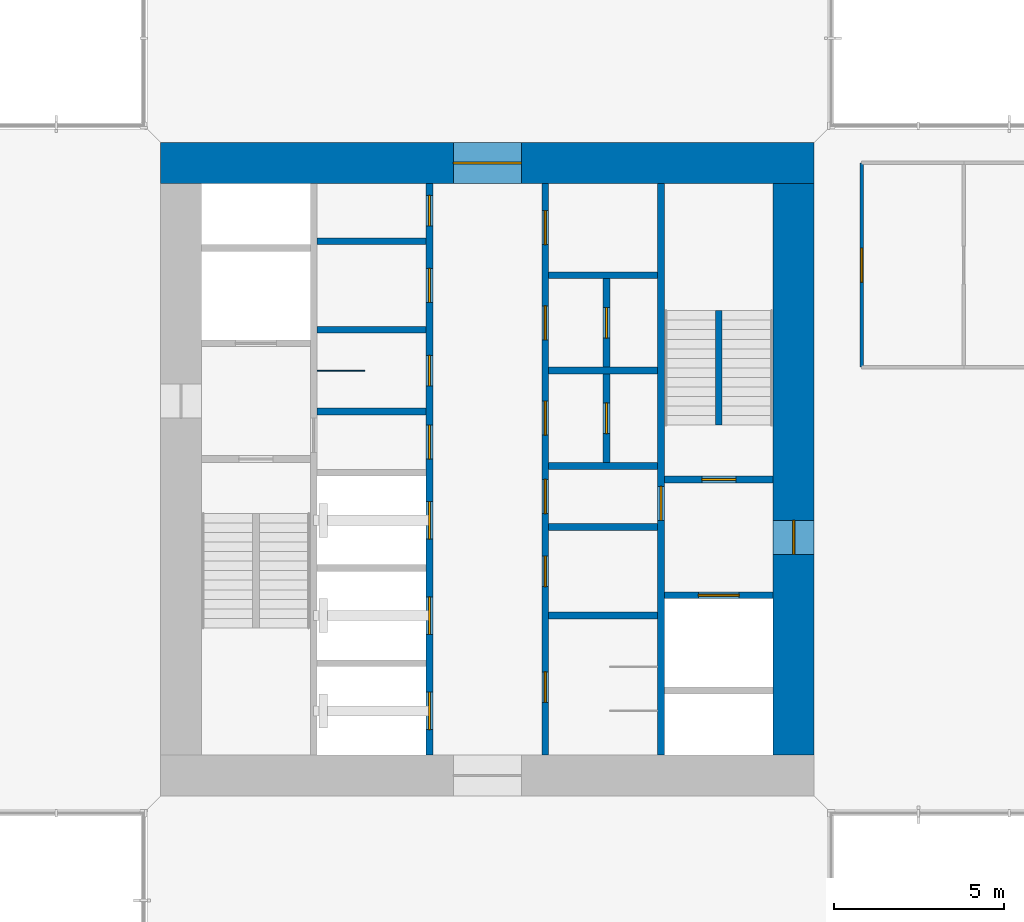
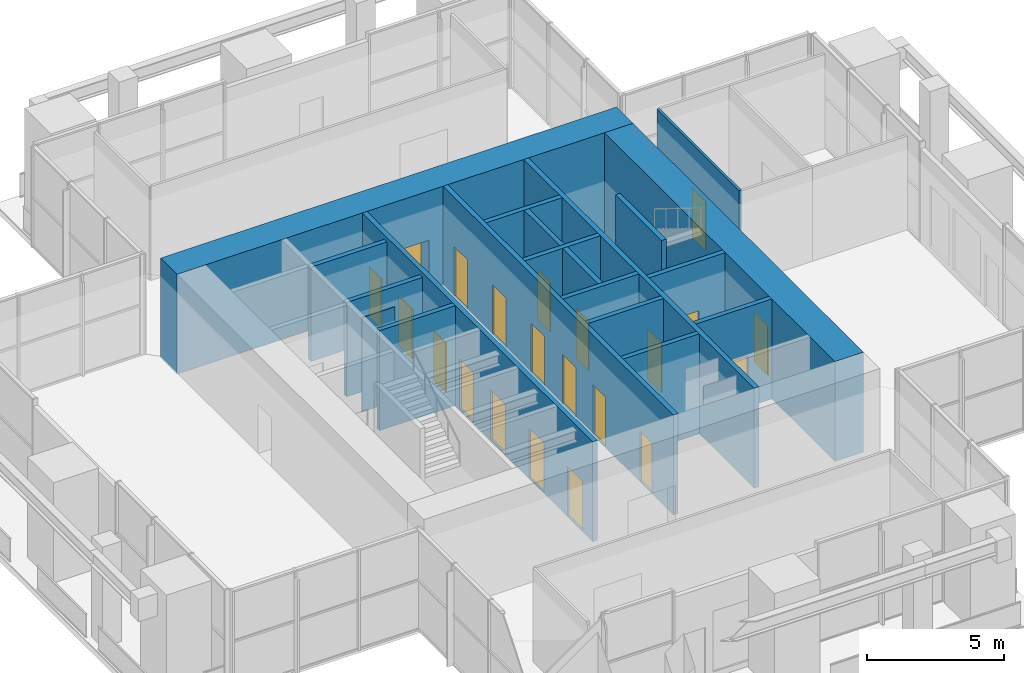
# One storey, part 8 of 11: 21 doors, 20 walls, 21 openings.
"""IFC4 building model written with IfcOpenShell, lengths in metres."""

from ifc_helpers import new_model, si_unit, direction, frame, frame_2d, origin, place, context, subcontext, project, spatial, rectangle, extrude, material, layer, layer_set, type_object, element, fill, save


model = new_model("IFC4")

# Units and contexts
model_context = context("Model", 3, precision=1e-05, world=origin(), true_north=direction((0.0, 1.0)))
body_context = subcontext(model_context, "Body", "Model", "MODEL_VIEW")
ifc_project = project(units=[si_unit("LENGTHUNIT", "METRE"), si_unit("AREAUNIT", "SQUARE_METRE"), si_unit("VOLUMEUNIT", "CUBIC_METRE"), si_unit("PLANEANGLEUNIT", "RADIAN"), si_unit("MASSUNIT", "GRAM", prefix="KILO")], contexts=[model_context])

# Site, building, storey
site_placement = place(None, origin())
site = spatial("IfcSite", under=ifc_project, at=site_placement, CompositionType="ELEMENT")
building_placement = place(site_placement, origin())
building = spatial("IfcBuilding", under=site, at=building_placement, Name="Svetlomir Tower", CompositionType="ELEMENT")
storey_placement = place(building_placement, frame((0.0, 0.0, 273.39990234375)))
storey = spatial("IfcBuildingStorey", under=building, at=storey_placement, Name="L65", CompositionType="ELEMENT", Elevation=273.39990234375)

# Walls
ifc_material_1 = material(Name="Gypsum board on twin steel studs", Category="steel")
ifc_layer_1 = layer(ifc_material_1, 0.199951171875)
ifc_layer_set_1 = layer_set([ifc_layer_1], Name="Gypsum board on twin steel studs")
wall_type_1 = type_object("IfcWallType", Name="ACOUSTIC PARTITION 200", PredefinedType="PARTITIONING", material=ifc_layer_set_1)
for number, where, z_axis, x_axis, name in (
    (1, (16.0, 25.10009765625, 0.0), (0.0, 0.0, 1.0), (1.0, 0.0, 0.0), "Core cell partition 16-19.2/25.1 L65"),
    (2, (16.0, 27.699951171875, 0.0), (0.0, 0.0, 1.0), (1.0, 0.0, 0.0), "Core cell partition 16-19.2/27.7 L65"),
):
    element("IfcWall", number, at=place(storey_placement, frame(where, z_axis=z_axis, x_axis=x_axis)), inside=storey, type_object=wall_type_1, Name=name, PredefinedType="PARTITIONING", context=body_context, shape_type="SweptSolid", body=[
        extrude(rectangle(XDim=3.199951171875, YDim=0.199951171875, at=frame_2d((1.60009765625, 0.0))), origin(), (0.0, 0.0, 1.0), 4.2001953125),
    ])

# Wall, openings, doors
ifc_material_2 = material(Name="Concrete C60/75", Category="concrete")
ifc_layer_2 = layer(ifc_material_2, 0.199951171875)
ifc_layer_set_2 = layer_set([ifc_layer_2], Name="Concrete C60/75")
wall_type_2 = type_object("IfcWallType", Name="CORE INNER WALL 200", PredefinedType="SHEAR", material=ifc_layer_set_2)
wall_1_placement = place(storey_placement, frame((19.300048828125, 12.60009765625, -0.0498046875), z_axis=(0.0, 0.0, 1.0), x_axis=(0.0, 1.0, 0.0)))
wall_1 = element("IfcWall", 3, at=wall_1_placement, inside=storey, type_object=wall_type_2, Name="Core inner wall 19.3 L65", PredefinedType="SHEAR", context=body_context, shape_type="SweptSolid", body=[
    extrude(rectangle(XDim=16.7998046875, YDim=0.199951171875, at=frame_2d((8.39990234375, 0.0))), origin(), (0.0, 0.0, 1.0), 4.449951171875),
])
opening_1_placement = place(wall_1_placement, frame((8.699951171875, 0.0, 0.050048828125)))
opening_1 = element("IfcOpeningElement", 4, at=opening_1_placement, cuts=wall_1, Name="Opening DC", PredefinedType="OPENING", context=body_context, shape_type="SweptSolid", body=[
    extrude(rectangle(XDim=1.0, YDim=2.199951171875, at=frame_2d((0.5, 1.10009765625))), frame((0.0, 0.10986328125, 0.0), z_axis=(0.0, -1.0, 0.0), x_axis=(1.0, 0.0, 0.0)), (0.0, 0.0, 1.0), 0.219970703125),
])
opening_2_placement = place(wall_1_placement, frame((10.85009765625, 0.0, 0.050048828125)))
opening_2 = element("IfcOpeningElement", 5, at=opening_2_placement, cuts=wall_1, Name="Opening DW", PredefinedType="OPENING", context=body_context, shape_type="SweptSolid", body=[
    extrude(rectangle(XDim=0.89990234375, YDim=2.199951171875, at=frame_2d((0.449951171875, 1.10009765625))), frame((0.0, 0.10986328125, 0.0), z_axis=(0.0, -1.0, 0.0), x_axis=(1.0, 0.0, 0.0)), (0.0, 0.0, 1.0), 0.219970703125),
])
opening_3_placement = place(wall_1_placement, frame((13.300048828125, 0.0, 0.050048828125)))
opening_3 = element("IfcOpeningElement", 6, at=opening_3_placement, cuts=wall_1, Name="Opening DC", PredefinedType="OPENING", context=body_context, shape_type="SweptSolid", body=[
    extrude(rectangle(XDim=1.0, YDim=2.199951171875, at=frame_2d((0.5, 1.10009765625))), frame((0.0, 0.10986328125, 0.0), z_axis=(0.0, -1.0, 0.0), x_axis=(1.0, 0.0, 0.0)), (0.0, 0.0, 1.0), 0.219970703125),
])
opening_4_placement = place(wall_1_placement, frame((15.550048828125, 0.0, 0.050048828125)))
opening_4 = element("IfcOpeningElement", 7, at=opening_4_placement, cuts=wall_1, Name="Opening DW", PredefinedType="OPENING", context=body_context, shape_type="SweptSolid", body=[
    extrude(rectangle(XDim=0.89990234375, YDim=2.199951171875, at=frame_2d((0.449951171875, 1.10009765625))), frame((0.0, 0.10986328125, 0.0), z_axis=(0.0, -1.0, 0.0), x_axis=(1.0, 0.0, 0.0)), (0.0, 0.0, 1.0), 0.219970703125),
])
opening_5_placement = place(wall_1_placement, frame((0.75, 0.0, 0.050048828125)))
opening_5 = element("IfcOpeningElement", 8, at=opening_5_placement, cuts=wall_1, Name="Opening LD", PredefinedType="OPENING", context=body_context, shape_type="SweptSolid", body=[
    extrude(rectangle(XDim=1.10009765625, YDim=2.199951171875, at=frame_2d((0.550048828125, 1.10009765625))), frame((0.0, 0.10986328125, 0.0), z_axis=(0.0, -1.0, 0.0), x_axis=(1.0, 0.0, 0.0)), (0.0, 0.0, 1.0), 0.219970703125),
])
opening_6_placement = place(wall_1_placement, frame((3.550048828125, 0.0, 0.050048828125)))
opening_6 = element("IfcOpeningElement", 9, at=opening_6_placement, cuts=wall_1, Name="Opening LD", PredefinedType="OPENING", context=body_context, shape_type="SweptSolid", body=[
    extrude(rectangle(XDim=1.10009765625, YDim=2.199951171875, at=frame_2d((0.550048828125, 1.10009765625))), frame((0.0, 0.10986328125, 0.0), z_axis=(0.0, -1.0, 0.0), x_axis=(1.0, 0.0, 0.0)), (0.0, 0.0, 1.0), 0.219970703125),
])
opening_7_placement = place(wall_1_placement, frame((6.35009765625, 0.0, 0.050048828125)))
opening_7 = element("IfcOpeningElement", 10, at=opening_7_placement, cuts=wall_1, Name="Opening LD", PredefinedType="OPENING", context=body_context, shape_type="SweptSolid", body=[
    extrude(rectangle(XDim=1.10009765625, YDim=2.199951171875, at=frame_2d((0.550048828125, 1.10009765625))), frame((0.0, 0.10986328125, 0.0), z_axis=(0.0, -1.0, 0.0), x_axis=(1.0, 0.0, 0.0)), (0.0, 0.0, 1.0), 0.219970703125),
])
ifc_material_3 = material(Name="Timber fire door", Category="wood")
door_type_1 = type_object("IfcDoorType", Name="DOOR DC 1000x2200", OperationType="SINGLE_SWING_LEFT", PredefinedType="DOOR", material=ifc_material_3)
door_1_placement = place(opening_1_placement, origin())
door_1 = element("IfcDoor", 11, at=door_1_placement, inside=storey, type_object=door_type_1, Name="Core corridor west lobby door L65", OperationType="SINGLE_SWING_LEFT", OverallHeight=2.199951171875, OverallWidth=1.0, PredefinedType="DOOR", context=body_context, shape_type="SweptSolid", body=[
    extrude(rectangle(XDim=1.0, YDim=2.199951171875, at=frame_2d((0.5, 1.10009765625))), frame((0.0, 0.02490234375, 0.0), z_axis=(0.0, -1.0, 0.0), x_axis=(1.0, 0.0, 0.0)), (0.0, 0.0, 1.0), 0.050048828125),
])
fill(opening_1, door_1)
door_2_placement = place(opening_3_placement, origin())
door_2 = element("IfcDoor", 12, at=door_2_placement, inside=storey, type_object=door_type_1, Name="Accessible WC door L65", OperationType="SINGLE_SWING_RIGHT", OverallHeight=2.199951171875, OverallWidth=1.0, PredefinedType="DOOR", context=body_context, shape_type="SweptSolid", body=[
    extrude(rectangle(XDim=1.0, YDim=2.199951171875, at=frame_2d((0.5, 1.10009765625))), frame((0.0, 0.02490234375, 0.0), z_axis=(0.0, -1.0, 0.0), x_axis=(1.0, 0.0, 0.0)), (0.0, 0.0, 1.0), 0.050048828125),
])
fill(opening_3, door_2)
ifc_material_4 = material(Name="Timber fire door", Category="wood")
door_type_2 = type_object("IfcDoorType", Name="DOOR DW 900x2200", OperationType="SINGLE_SWING_LEFT", PredefinedType="DOOR", material=ifc_material_4)
door_3_placement = place(opening_2_placement, origin())
door_3 = element("IfcDoor", 13, at=door_3_placement, inside=storey, type_object=door_type_2, Name="Female WC door L65", OperationType="SINGLE_SWING_LEFT", OverallHeight=2.199951171875, OverallWidth=0.89990234375, PredefinedType="DOOR", context=body_context, shape_type="SweptSolid", body=[
    extrude(rectangle(XDim=0.89990234375, YDim=2.199951171875, at=frame_2d((0.449951171875, 1.10009765625))), frame((0.0, 0.02490234375, 0.0), z_axis=(0.0, -1.0, 0.0), x_axis=(1.0, 0.0, 0.0)), (0.0, 0.0, 1.0), 0.050048828125),
])
fill(opening_2, door_3)
door_4_placement = place(opening_4_placement, origin())
door_4 = element("IfcDoor", 14, at=door_4_placement, inside=storey, type_object=door_type_2, Name="Tea point door L65", OperationType="SINGLE_SWING_LEFT", OverallHeight=2.199951171875, OverallWidth=0.89990234375, PredefinedType="DOOR", context=body_context, shape_type="SweptSolid", body=[
    extrude(rectangle(XDim=0.89990234375, YDim=2.199951171875, at=frame_2d((0.449951171875, 1.10009765625))), frame((0.0, 0.02490234375, 0.0), z_axis=(0.0, -1.0, 0.0), x_axis=(1.0, 0.0, 0.0)), (0.0, 0.0, 1.0), 0.050048828125),
])
fill(opening_4, door_4)
ifc_material_5 = material(Name="Stainless steel landing door", Category="steel")
door_type_3 = type_object("IfcDoorType", Name="LIFT LANDING DOOR LD 1100x2200", OperationType="DOUBLE_DOOR_SLIDING", PredefinedType="DOOR", material=ifc_material_5)
door_5_placement = place(opening_5_placement, origin())
door_5 = element("IfcDoor", 15, at=door_5_placement, inside=storey, type_object=door_type_3, Name="Landing door lift LD1 L65", OperationType="DOUBLE_DOOR_SLIDING", OverallHeight=2.199951171875, OverallWidth=1.10009765625, PredefinedType="DOOR", context=body_context, shape_type="SweptSolid", body=[
    extrude(rectangle(XDim=1.10009765625, YDim=2.199951171875, at=frame_2d((0.550048828125, 1.10009765625))), frame((0.0, 0.02490234375, 0.0), z_axis=(0.0, -1.0, 0.0), x_axis=(1.0, 0.0, 0.0)), (0.0, 0.0, 1.0), 0.050048828125),
])
fill(opening_5, door_5)
door_6_placement = place(opening_6_placement, origin())
door_6 = element("IfcDoor", 16, at=door_6_placement, inside=storey, type_object=door_type_3, Name="Landing door lift LD2 L65", OperationType="DOUBLE_DOOR_SLIDING", OverallHeight=2.199951171875, OverallWidth=1.10009765625, PredefinedType="DOOR", context=body_context, shape_type="SweptSolid", body=[
    extrude(rectangle(XDim=1.10009765625, YDim=2.199951171875, at=frame_2d((0.550048828125, 1.10009765625))), frame((0.0, 0.02490234375, 0.0), z_axis=(0.0, -1.0, 0.0), x_axis=(1.0, 0.0, 0.0)), (0.0, 0.0, 1.0), 0.050048828125),
])
fill(opening_6, door_6)
door_7_placement = place(opening_7_placement, origin())
door_7 = element("IfcDoor", 17, at=door_7_placement, inside=storey, type_object=door_type_3, Name="Landing door lift LD3 L65", OperationType="DOUBLE_DOOR_SLIDING", OverallHeight=2.199951171875, OverallWidth=1.10009765625, PredefinedType="DOOR", context=body_context, shape_type="SweptSolid", body=[
    extrude(rectangle(XDim=1.10009765625, YDim=2.199951171875, at=frame_2d((0.550048828125, 1.10009765625))), frame((0.0, 0.02490234375, 0.0), z_axis=(0.0, -1.0, 0.0), x_axis=(1.0, 0.0, 0.0)), (0.0, 0.0, 1.0), 0.050048828125),
])
fill(opening_7, door_7)

wall_2_placement = place(storey_placement, frame((22.699951171875, 12.60009765625, -0.0498046875), z_axis=(0.0, 0.0, 1.0), x_axis=(0.0, 1.0, 0.0)))
wall_2 = element("IfcWall", 18, at=wall_2_placement, inside=storey, type_object=wall_type_2, Name="Core inner wall 22.7 L65", PredefinedType="SHEAR", context=body_context, shape_type="SweptSolid", body=[
    extrude(rectangle(XDim=16.7998046875, YDim=0.199951171875, at=frame_2d((8.39990234375, 0.0))), origin(), (0.0, 0.0, 1.0), 4.449951171875),
])
opening_8_placement = place(wall_2_placement, frame((7.10009765625, 0.0, 0.050048828125)))
opening_8 = element("IfcOpeningElement", 19, at=opening_8_placement, cuts=wall_2, Name="Opening DC", PredefinedType="OPENING", context=body_context, shape_type="SweptSolid", body=[
    extrude(rectangle(XDim=1.0, YDim=2.199951171875, at=frame_2d((0.5, 1.10009765625))), frame((0.0, 0.10986328125, 0.0), z_axis=(0.0, -1.0, 0.0), x_axis=(1.0, 0.0, 0.0)), (0.0, 0.0, 1.0), 0.219970703125),
])
opening_9_placement = place(wall_2_placement, frame((1.550048828125, 0.0, 0.050048828125)))
opening_9 = element("IfcOpeningElement", 20, at=opening_9_placement, cuts=wall_2, Name="Opening DW", PredefinedType="OPENING", context=body_context, shape_type="SweptSolid", body=[
    extrude(rectangle(XDim=0.89990234375, YDim=2.199951171875, at=frame_2d((0.449951171875, 1.10009765625))), frame((0.0, 0.10986328125, 0.0), z_axis=(0.0, -1.0, 0.0), x_axis=(1.0, 0.0, 0.0)), (0.0, 0.0, 1.0), 0.219970703125),
])
opening_10_placement = place(wall_2_placement, frame((4.949951171875, 0.0, 0.050048828125)))
opening_10 = element("IfcOpeningElement", 21, at=opening_10_placement, cuts=wall_2, Name="Opening DW", PredefinedType="OPENING", context=body_context, shape_type="SweptSolid", body=[
    extrude(rectangle(XDim=0.89990234375, YDim=2.199951171875, at=frame_2d((0.449951171875, 1.10009765625))), frame((0.0, 0.10986328125, 0.0), z_axis=(0.0, -1.0, 0.0), x_axis=(1.0, 0.0, 0.0)), (0.0, 0.0, 1.0), 0.219970703125),
])
opening_11_placement = place(wall_2_placement, frame((9.39990234375, 0.0, 0.050048828125)))
opening_11 = element("IfcOpeningElement", 22, at=opening_11_placement, cuts=wall_2, Name="Opening DC", PredefinedType="OPENING", context=body_context, shape_type="SweptSolid", body=[
    extrude(rectangle(XDim=1.0, YDim=2.199951171875, at=frame_2d((0.5, 1.10009765625))), frame((0.0, 0.10986328125, 0.0), z_axis=(0.0, -1.0, 0.0), x_axis=(1.0, 0.0, 0.0)), (0.0, 0.0, 1.0), 0.219970703125),
])
opening_12_placement = place(wall_2_placement, frame((12.199951171875, 0.0, 0.050048828125)))
opening_12 = element("IfcOpeningElement", 23, at=opening_12_placement, cuts=wall_2, Name="Opening DC", PredefinedType="OPENING", context=body_context, shape_type="SweptSolid", body=[
    extrude(rectangle(XDim=1.0, YDim=2.199951171875, at=frame_2d((0.5, 1.10009765625))), frame((0.0, 0.10986328125, 0.0), z_axis=(0.0, -1.0, 0.0), x_axis=(1.0, 0.0, 0.0)), (0.0, 0.0, 1.0), 0.219970703125),
])
opening_13_placement = place(wall_2_placement, frame((15.0, 0.0, 0.050048828125)))
opening_13 = element("IfcOpeningElement", 24, at=opening_13_placement, cuts=wall_2, Name="Opening DC", PredefinedType="OPENING", context=body_context, shape_type="SweptSolid", body=[
    extrude(rectangle(XDim=1.0, YDim=2.199951171875, at=frame_2d((0.5, 1.10009765625))), frame((0.0, 0.10986328125, 0.0), z_axis=(0.0, -1.0, 0.0), x_axis=(1.0, 0.0, 0.0)), (0.0, 0.0, 1.0), 0.219970703125),
])
door_8_placement = place(opening_8_placement, origin())
door_8 = element("IfcDoor", 25, at=door_8_placement, inside=storey, type_object=door_type_1, Name="Core corridor east lobby door L65", OperationType="SINGLE_SWING_RIGHT", OverallHeight=2.199951171875, OverallWidth=1.0, PredefinedType="DOOR", context=body_context, shape_type="SweptSolid", body=[
    extrude(rectangle(XDim=1.0, YDim=2.199951171875, at=frame_2d((0.5, 1.10009765625))), frame((0.0, 0.02490234375, 0.0), z_axis=(0.0, -1.0, 0.0), x_axis=(1.0, 0.0, 0.0)), (0.0, 0.0, 1.0), 0.050048828125),
])
fill(opening_8, door_8)
door_9_placement = place(opening_11_placement, origin())
door_9 = element("IfcDoor", 26, at=door_9_placement, inside=storey, type_object=door_type_1, Name="Converted shaft BANK-E1 room door L65", OperationType="SINGLE_SWING_RIGHT", OverallHeight=2.199951171875, OverallWidth=1.0, PredefinedType="DOOR", context=body_context, shape_type="SweptSolid", body=[
    extrude(rectangle(XDim=1.0, YDim=2.199951171875, at=frame_2d((0.5, 1.10009765625))), frame((0.0, 0.02490234375, 0.0), z_axis=(0.0, -1.0, 0.0), x_axis=(1.0, 0.0, 0.0)), (0.0, 0.0, 1.0), 0.050048828125),
])
fill(opening_11, door_9)
door_10_placement = place(opening_12_placement, origin())
door_10 = element("IfcDoor", 27, at=door_10_placement, inside=storey, type_object=door_type_1, Name="Converted shaft BANK-E2 room door L65", OperationType="SINGLE_SWING_RIGHT", OverallHeight=2.199951171875, OverallWidth=1.0, PredefinedType="DOOR", context=body_context, shape_type="SweptSolid", body=[
    extrude(rectangle(XDim=1.0, YDim=2.199951171875, at=frame_2d((0.5, 1.10009765625))), frame((0.0, 0.02490234375, 0.0), z_axis=(0.0, -1.0, 0.0), x_axis=(1.0, 0.0, 0.0)), (0.0, 0.0, 1.0), 0.050048828125),
])
fill(opening_12, door_10)
door_11_placement = place(opening_13_placement, origin())
door_11 = element("IfcDoor", 28, at=door_11_placement, inside=storey, type_object=door_type_1, Name="Converted shaft BANK-E3 room door L65", OperationType="SINGLE_SWING_RIGHT", OverallHeight=2.199951171875, OverallWidth=1.0, PredefinedType="DOOR", context=body_context, shape_type="SweptSolid", body=[
    extrude(rectangle(XDim=1.0, YDim=2.199951171875, at=frame_2d((0.5, 1.10009765625))), frame((0.0, 0.02490234375, 0.0), z_axis=(0.0, -1.0, 0.0), x_axis=(1.0, 0.0, 0.0)), (0.0, 0.0, 1.0), 0.050048828125),
])
fill(opening_13, door_11)
door_12_placement = place(opening_9_placement, origin())
door_12 = element("IfcDoor", 29, at=door_12_placement, inside=storey, type_object=door_type_2, Name="Male WC door L65", OperationType="SINGLE_SWING_RIGHT", OverallHeight=2.199951171875, OverallWidth=0.89990234375, PredefinedType="DOOR", context=body_context, shape_type="SweptSolid", body=[
    extrude(rectangle(XDim=0.89990234375, YDim=2.199951171875, at=frame_2d((0.449951171875, 1.10009765625))), frame((0.0, 0.02490234375, 0.0), z_axis=(0.0, -1.0, 0.0), x_axis=(1.0, 0.0, 0.0)), (0.0, 0.0, 1.0), 0.050048828125),
])
fill(opening_9, door_12)
door_13_placement = place(opening_10_placement, origin())
door_13 = element("IfcDoor", 30, at=door_13_placement, inside=storey, type_object=door_type_2, Name="Comms room door L65", OperationType="SINGLE_SWING_LEFT", OverallHeight=2.199951171875, OverallWidth=0.89990234375, PredefinedType="DOOR", context=body_context, shape_type="SweptSolid", body=[
    extrude(rectangle(XDim=0.89990234375, YDim=2.199951171875, at=frame_2d((0.449951171875, 1.10009765625))), frame((0.0, 0.02490234375, 0.0), z_axis=(0.0, -1.0, 0.0), x_axis=(1.0, 0.0, 0.0)), (0.0, 0.0, 1.0), 0.050048828125),
])
fill(opening_10, door_13)

# Wall, opening, door
wall_3_placement = place(storey_placement, frame((26.10009765625, 12.60009765625, -0.0498046875), z_axis=(0.0, 0.0, 1.0), x_axis=(0.0, 1.0, 0.0)))
wall_3 = element("IfcWall", 31, at=wall_3_placement, inside=storey, type_object=wall_type_2, Name="Core inner wall 26.1 L65", PredefinedType="SHEAR", context=body_context, shape_type="SweptSolid", body=[
    extrude(rectangle(XDim=16.7998046875, YDim=0.199951171875, at=frame_2d((8.39990234375, 0.0))), origin(), (0.0, 0.0, 1.0), 4.449951171875),
])
opening_14_placement = place(wall_3_placement, frame((6.89990234375, 0.0, 0.050048828125)))
opening_14 = element("IfcOpeningElement", 32, at=opening_14_placement, cuts=wall_3, Name="Opening DF", PredefinedType="OPENING", context=body_context, shape_type="SweptSolid", body=[
    extrude(rectangle(XDim=1.0, YDim=2.199951171875, at=frame_2d((0.5, 1.10009765625))), frame((0.0, 0.10986328125, 0.0), z_axis=(0.0, -1.0, 0.0), x_axis=(1.0, 0.0, 0.0)), (0.0, 0.0, 1.0), 0.219970703125),
])
ifc_material_6 = material(Name="Steel fire door", Category="steel")
door_type_4 = type_object("IfcDoorType", Name="DOOR DF 1000x2200", OperationType="SINGLE_SWING_LEFT", PredefinedType="DOOR", material=ifc_material_6)
door_14_placement = place(opening_14_placement, origin())
door_14 = element("IfcDoor", 33, at=door_14_placement, inside=storey, type_object=door_type_4, Name="Core corridor east door L65", OperationType="SINGLE_SWING_LEFT", OverallHeight=2.199951171875, OverallWidth=1.0, PredefinedType="DOOR", context=body_context, shape_type="SweptSolid", body=[
    extrude(rectangle(XDim=1.0, YDim=2.199951171875, at=frame_2d((0.5, 1.10009765625))), frame((0.0, 0.02490234375, 0.0), z_axis=(0.0, -1.0, 0.0), x_axis=(1.0, 0.0, 0.0)), (0.0, 0.0, 1.0), 0.050048828125),
])
fill(opening_14, door_14)

# Walls
for number, where, z_axis, x_axis, name in (
    (34, (16.0, 22.699951171875, -0.0498046875), (0.0, 0.0, 1.0), (1.0, 0.0, 0.0), "Core inner wall 16-19.2/22.7 L65"),
    (35, (22.800048828125, 16.699951171875, -0.0498046875), (0.0, 0.0, 1.0), (1.0, 0.0, 0.0), "Core inner wall 22.8-26/16.7 L65"),
    (36, (22.800048828125, 19.300048828125, -0.0498046875), (0.0, 0.0, 1.0), (1.0, 0.0, 0.0), "Core inner wall 22.8-26/19.3 L65"),
    (37, (22.800048828125, 21.10009765625, -0.0498046875), (0.0, 0.0, 1.0), (1.0, 0.0, 0.0), "Core inner wall 22.8-26/21.1 L65"),
    (38, (22.800048828125, 23.89990234375, -0.0498046875), (0.0, 0.0, 1.0), (1.0, 0.0, 0.0), "Core inner wall 22.8-26/23.9 L65"),
    (39, (22.800048828125, 26.699951171875, -0.0498046875), (0.0, 0.0, 1.0), (1.0, 0.0, 0.0), "Core inner wall 22.8-26/26.7 L65"),
):
    element("IfcWall", number, at=place(storey_placement, frame(where, z_axis=z_axis, x_axis=x_axis)), inside=storey, type_object=wall_type_2, Name=name, PredefinedType="SHEAR", context=body_context, shape_type="SweptSolid", body=[
        extrude(rectangle(XDim=3.199951171875, YDim=0.199951171875, at=frame_2d((1.60009765625, 0.0))), origin(), (0.0, 0.0, 1.0), 4.449951171875),
    ])

# Wall, opening, door
wall_4_placement = place(storey_placement, frame((26.199951171875, 17.300048828125, -0.0498046875), z_axis=(0.0, 0.0, 1.0), x_axis=(1.0, 0.0, 0.0)))
wall_4 = element("IfcWall", 40, at=wall_4_placement, inside=storey, type_object=wall_type_2, Name="Core inner wall 26.2-29.4/17.3 L65", PredefinedType="SHEAR", context=body_context, shape_type="SweptSolid", body=[
    extrude(rectangle(XDim=3.199951171875, YDim=0.199951171875, at=frame_2d((1.60009765625, 0.0))), origin(), (0.0, 0.0, 1.0), 4.449951171875),
])
opening_15_placement = place(wall_4_placement, frame((1.0, 0.0, 0.050048828125)))
opening_15 = element("IfcOpeningElement", 41, at=opening_15_placement, cuts=wall_4, Name="Opening LD3", PredefinedType="OPENING", context=body_context, shape_type="SweptSolid", body=[
    extrude(rectangle(XDim=1.199951171875, YDim=2.199951171875, at=frame_2d((0.60009765625, 1.10009765625))), frame((0.0, 0.10986328125, 0.0), z_axis=(0.0, -1.0, 0.0), x_axis=(1.0, 0.0, 0.0)), (0.0, 0.0, 1.0), 0.219970703125),
])
ifc_material_7 = material(Name="Stainless steel fire-rated landing door", Category="steel")
door_type_5 = type_object("IfcDoorType", Name="FIREFIGHTING LIFT LANDING DOOR LD3 1200x2200", OperationType="DOUBLE_DOOR_SLIDING", PredefinedType="DOOR", material=ifc_material_7)
door_15_placement = place(opening_15_placement, origin())
door_15 = element("IfcDoor", 42, at=door_15_placement, inside=storey, type_object=door_type_5, Name="Landing door lift FL2 L65", OperationType="DOUBLE_DOOR_SLIDING", OverallHeight=2.199951171875, OverallWidth=1.199951171875, PredefinedType="DOOR", context=body_context, shape_type="SweptSolid", body=[
    extrude(rectangle(XDim=1.199951171875, YDim=2.199951171875, at=frame_2d((0.60009765625, 1.10009765625))), frame((0.0, 0.02490234375, 0.0), z_axis=(0.0, -1.0, 0.0), x_axis=(1.0, 0.0, 0.0)), (0.0, 0.0, 1.0), 0.050048828125),
])
fill(opening_15, door_15)

wall_5_placement = place(storey_placement, frame((26.199951171875, 20.699951171875, -0.0498046875), z_axis=(0.0, 0.0, 1.0), x_axis=(1.0, 0.0, 0.0)))
wall_5 = element("IfcWall", 43, at=wall_5_placement, inside=storey, type_object=wall_type_2, Name="Core inner wall 26.2-29.4/20.7 L65", PredefinedType="SHEAR", context=body_context, shape_type="SweptSolid", body=[
    extrude(rectangle(XDim=3.199951171875, YDim=0.199951171875, at=frame_2d((1.60009765625, 0.0))), origin(), (0.0, 0.0, 1.0), 4.449951171875),
])
opening_16_placement = place(wall_5_placement, frame((1.10009765625, 0.0, 0.050048828125)))
opening_16 = element("IfcOpeningElement", 44, at=opening_16_placement, cuts=wall_5, Name="Opening DF", PredefinedType="OPENING", context=body_context, shape_type="SweptSolid", body=[
    extrude(rectangle(XDim=1.0, YDim=2.199951171875, at=frame_2d((0.5, 1.10009765625))), frame((0.0, 0.10986328125, 0.0), z_axis=(0.0, -1.0, 0.0), x_axis=(1.0, 0.0, 0.0)), (0.0, 0.0, 1.0), 0.219970703125),
])
door_16_placement = place(opening_16_placement, origin())
door_16 = element("IfcDoor", 45, at=door_16_placement, inside=storey, type_object=door_type_4, Name="Stair S2 door L65", OperationType="SINGLE_SWING_RIGHT", OverallHeight=2.199951171875, OverallWidth=1.0, PredefinedType="DOOR", context=body_context, shape_type="SweptSolid", body=[
    extrude(rectangle(XDim=1.0, YDim=2.199951171875, at=frame_2d((0.5, 1.10009765625))), frame((0.0, 0.02490234375, 0.0), z_axis=(0.0, -1.0, 0.0), x_axis=(1.0, 0.0, 0.0)), (0.0, 0.0, 1.0), 0.050048828125),
])
fill(opening_16, door_16)

wall_6_placement = place(storey_placement, frame((24.5, 21.199951171875, -0.0498046875), z_axis=(0.0, 0.0, 1.0), x_axis=(0.0, 1.0, 0.0)))
wall_6 = element("IfcWall", 46, at=wall_6_placement, inside=storey, type_object=wall_type_2, Name="Core inner wall 24.5/21.2-23.8 L65", PredefinedType="SHEAR", context=body_context, shape_type="SweptSolid", body=[
    extrude(rectangle(XDim=2.60009765625, YDim=0.199951171875, at=frame_2d((1.300048828125, 0.0))), origin(), (0.0, 0.0, 1.0), 4.449951171875),
])
opening_17_placement = place(wall_6_placement, frame((0.85009765625, 0.0, 0.050048828125)))
opening_17 = element("IfcOpeningElement", 47, at=opening_17_placement, cuts=wall_6, Name="Opening DW", PredefinedType="OPENING", context=body_context, shape_type="SweptSolid", body=[
    extrude(rectangle(XDim=0.89990234375, YDim=2.199951171875, at=frame_2d((0.449951171875, 1.10009765625))), frame((0.0, 0.10986328125, 0.0), z_axis=(0.0, -1.0, 0.0), x_axis=(1.0, 0.0, 0.0)), (0.0, 0.0, 1.0), 0.219970703125),
])
door_17_placement = place(opening_17_placement, origin())
door_17 = element("IfcDoor", 48, at=door_17_placement, inside=storey, type_object=door_type_2, Name="Converted shaft BANK-E1 back room door L65", OperationType="SINGLE_SWING_LEFT", OverallHeight=2.199951171875, OverallWidth=0.89990234375, PredefinedType="DOOR", context=body_context, shape_type="SweptSolid", body=[
    extrude(rectangle(XDim=0.89990234375, YDim=2.199951171875, at=frame_2d((0.449951171875, 1.10009765625))), frame((0.0, 0.02490234375, 0.0), z_axis=(0.0, -1.0, 0.0), x_axis=(1.0, 0.0, 0.0)), (0.0, 0.0, 1.0), 0.050048828125),
])
fill(opening_17, door_17)

wall_7_placement = place(storey_placement, frame((24.5, 24.0, -0.0498046875), z_axis=(0.0, 0.0, 1.0), x_axis=(0.0, 1.0, 0.0)))
wall_7 = element("IfcWall", 49, at=wall_7_placement, inside=storey, type_object=wall_type_2, Name="Core inner wall 24.5/24-26.6 L65", PredefinedType="SHEAR", context=body_context, shape_type="SweptSolid", body=[
    extrude(rectangle(XDim=2.60009765625, YDim=0.199951171875, at=frame_2d((1.300048828125, 0.0))), origin(), (0.0, 0.0, 1.0), 4.449951171875),
])
opening_18_placement = place(wall_7_placement, frame((0.85009765625, 0.0, 0.050048828125)))
opening_18 = element("IfcOpeningElement", 50, at=opening_18_placement, cuts=wall_7, Name="Opening DW", PredefinedType="OPENING", context=body_context, shape_type="SweptSolid", body=[
    extrude(rectangle(XDim=0.89990234375, YDim=2.199951171875, at=frame_2d((0.449951171875, 1.10009765625))), frame((0.0, 0.10986328125, 0.0), z_axis=(0.0, -1.0, 0.0), x_axis=(1.0, 0.0, 0.0)), (0.0, 0.0, 1.0), 0.219970703125),
])
door_18_placement = place(opening_18_placement, origin())
door_18 = element("IfcDoor", 51, at=door_18_placement, inside=storey, type_object=door_type_2, Name="Converted shaft BANK-E2 back room door L65", OperationType="SINGLE_SWING_LEFT", OverallHeight=2.199951171875, OverallWidth=0.89990234375, PredefinedType="DOOR", context=body_context, shape_type="SweptSolid", body=[
    extrude(rectangle(XDim=0.89990234375, YDim=2.199951171875, at=frame_2d((0.449951171875, 1.10009765625))), frame((0.0, 0.02490234375, 0.0), z_axis=(0.0, -1.0, 0.0), x_axis=(1.0, 0.0, 0.0)), (0.0, 0.0, 1.0), 0.050048828125),
])
fill(opening_18, door_18)

ifc_material_8 = material(Name="Concrete C60/75", Category="concrete")
ifc_layer_3 = layer(ifc_material_8, 1.199951171875)
ifc_layer_set_3 = layer_set([ifc_layer_3], Name="Concrete C60/75")
wall_type_3 = type_object("IfcWallType", Name="CORE WALL 1200", PredefinedType="SHEAR", material=ifc_layer_set_3)
wall_8_placement = place(storey_placement, frame((11.39990234375, 30.0, -0.0498046875), z_axis=(0.0, 0.0, 1.0), x_axis=(1.0, 0.0, 0.0)))
wall_8 = element("IfcWall", 52, at=wall_8_placement, inside=storey, type_object=wall_type_3, Name="Core wall north L65", PredefinedType="SHEAR", context=body_context, shape_type="SweptSolid", body=[
    extrude(rectangle(XDim=19.2001953125, YDim=1.199951171875, at=frame_2d((9.60009765625, 0.0))), origin(), (0.0, 0.0, 1.0), 4.449951171875),
])
opening_19_placement = place(wall_8_placement, frame((8.60009765625, 0.0, 0.050048828125)))
opening_19 = element("IfcOpeningElement", 53, at=opening_19_placement, cuts=wall_8, Name="Opening DL", PredefinedType="OPENING", context=body_context, shape_type="SweptSolid", body=[
    extrude(rectangle(XDim=2.0, YDim=2.199951171875, at=frame_2d((1.0, 1.10009765625))), frame((0.0, 0.60986328125, 0.0), z_axis=(0.0, -1.0, 0.0), x_axis=(1.0, 0.0, 0.0)), (0.0, 0.0, 1.0), 1.219970703125),
])
ifc_material_9 = material(Name="Steel fire door", Category="steel")
door_type_6 = type_object("IfcDoorType", Name="DOOR DL 2000x2200", OperationType="DOUBLE_DOOR_SINGLE_SWING", PredefinedType="DOOR", material=ifc_material_9)
door_19_placement = place(opening_19_placement, origin())
door_19 = element("IfcDoor", 54, at=door_19_placement, inside=storey, type_object=door_type_6, Name="Lift lobby north door L65", OperationType="DOUBLE_DOOR_SINGLE_SWING", OverallHeight=2.199951171875, OverallWidth=2.0, PredefinedType="DOOR", context=body_context, shape_type="SweptSolid", body=[
    extrude(rectangle(XDim=2.0, YDim=2.199951171875, at=frame_2d((1.0, 1.10009765625))), frame((0.0, 0.02490234375, 0.0), z_axis=(0.0, -1.0, 0.0), x_axis=(1.0, 0.0, 0.0)), (0.0, 0.0, 1.0), 0.050048828125),
])
fill(opening_19, door_19)

wall_9_placement = place(storey_placement, frame((30.0, 12.60009765625, -0.0498046875), z_axis=(0.0, 0.0, 1.0), x_axis=(0.0, 1.0, 0.0)))
wall_9 = element("IfcWall", 55, at=wall_9_placement, inside=storey, type_object=wall_type_3, Name="Core wall east L65", PredefinedType="SHEAR", context=body_context, shape_type="SweptSolid", body=[
    extrude(rectangle(XDim=16.7998046875, YDim=1.199951171875, at=frame_2d((8.39990234375, 0.0))), origin(), (0.0, 0.0, 1.0), 4.449951171875),
])
opening_20_placement = place(wall_9_placement, frame((5.89990234375, 0.0, 0.050048828125)))
opening_20 = element("IfcOpeningElement", 56, at=opening_20_placement, cuts=wall_9, Name="Opening DF", PredefinedType="OPENING", context=body_context, shape_type="SweptSolid", body=[
    extrude(rectangle(XDim=1.0, YDim=2.199951171875, at=frame_2d((0.5, 1.10009765625))), frame((0.0, 0.60986328125, 0.0), z_axis=(0.0, -1.0, 0.0), x_axis=(1.0, 0.0, 0.0)), (0.0, 0.0, 1.0), 1.219970703125),
])
door_20_placement = place(opening_20_placement, origin())
door_20 = element("IfcDoor", 57, at=door_20_placement, inside=storey, type_object=door_type_4, Name="Firefighting lobby east door L65", OperationType="SINGLE_SWING_RIGHT", OverallHeight=2.199951171875, OverallWidth=1.0, PredefinedType="DOOR", context=body_context, shape_type="SweptSolid", body=[
    extrude(rectangle(XDim=1.0, YDim=2.199951171875, at=frame_2d((0.5, 1.10009765625))), frame((0.0, 0.02490234375, 0.0), z_axis=(0.0, -1.0, 0.0), x_axis=(1.0, 0.0, 0.0)), (0.0, 0.0, 1.0), 0.050048828125),
])
fill(opening_20, door_20)

ifc_material_10 = material(Name="Framed laminated glass partition", Category="glass")
ifc_layer_4 = layer(ifc_material_10, 0.10009765625)
ifc_layer_set_4 = layer_set([ifc_layer_4], Name="Framed laminated glass partition")
wall_type_4 = type_object("IfcWallType", Name="GLAZED PARTITION 100", PredefinedType="PARTITIONING", material=ifc_layer_set_4)
wall_10_placement = place(storey_placement, frame((32.0, 24.0, 0.0), z_axis=(0.0, 0.0, 1.0), x_axis=(0.0, 1.0, 0.0)))
wall_10 = element("IfcWall", 58, at=wall_10_placement, inside=storey, type_object=wall_type_4, Name="Partition L65", PredefinedType="PARTITIONING", context=body_context, shape_type="SweptSolid", body=[
    extrude(rectangle(XDim=6.0, YDim=0.10009765625, at=frame_2d((3.0, 0.0))), origin(), (0.0, 0.0, 1.0), 4.2001953125),
])
opening_21_placement = place(wall_10_placement, frame((2.5, 0.0, 0.0)))
opening_21 = element("IfcOpeningElement", 59, at=opening_21_placement, cuts=wall_10, Name="Opening DR", PredefinedType="OPENING", context=body_context, shape_type="SweptSolid", body=[
    extrude(rectangle(XDim=1.0, YDim=2.199951171875, at=frame_2d((0.5, 1.10009765625))), frame((0.0, 0.06005859375, 0.0), z_axis=(0.0, -1.0, 0.0), x_axis=(1.0, 0.0, 0.0)), (0.0, 0.0, 1.0), 0.1201171875),
])
ifc_material_11 = material(Name="Timber door, glazed side light", Category="wood")
door_type_7 = type_object("IfcDoorType", Name="DOOR DR 1000x2200", OperationType="SINGLE_SWING_LEFT", PredefinedType="DOOR", material=ifc_material_11)
door_21_placement = place(opening_21_placement, origin())
door_21 = element("IfcDoor", 60, at=door_21_placement, inside=storey, type_object=door_type_7, Name="Club bar door L65", OperationType="SINGLE_SWING_RIGHT", OverallHeight=2.199951171875, OverallWidth=1.0, PredefinedType="DOOR", context=body_context, shape_type="SweptSolid", body=[
    extrude(rectangle(XDim=1.0, YDim=2.199951171875, at=frame_2d((0.5, 1.10009765625))), frame((0.0, 0.02490234375, 0.0), z_axis=(0.0, -1.0, 0.0), x_axis=(1.0, 0.0, 0.0)), (0.0, 0.0, 1.0), 0.050048828125),
])
fill(opening_21, door_21)

# Walls
ifc_material_12 = material(Name="Concrete C60/75", Category="concrete")
ifc_layer_5 = layer(ifc_material_12, 0.199951171875)
ifc_layer_set_5 = layer_set([ifc_layer_5], Name="Concrete C60/75")
wall_type_5 = type_object("IfcWallType", Name="STAIR SPINE WALL 200", PredefinedType="PARTITIONING", material=ifc_layer_set_5)
wall_11_placement = place(storey_placement, frame((27.800048828125, 22.300048828125, 0.0), z_axis=(0.0, 0.0, 1.0), x_axis=(0.0, 1.0, 0.0)))
element("IfcWall", 61, at=wall_11_placement, inside=storey, type_object=wall_type_5, Name="Stair S2 spine wall L65", PredefinedType="PARTITIONING", context=body_context, shape_type="SweptSolid", body=[
    extrude(rectangle(XDim=3.35986328125, YDim=0.199951171875, at=frame_2d((1.679931640625, 0.0))), origin(), (0.0, 0.0, 1.0), 4.5),
])
ifc_material_13 = material(Name="Compact laminate panel", Category="plastic")
ifc_layer_6 = layer(ifc_material_13, 0.030029296875)
ifc_layer_set_6 = layer_set([ifc_layer_6], Name="Compact laminate panel")
wall_type_6 = type_object("IfcWallType", Name="WC CUBICLE PARTITION 30", PredefinedType="PARTITIONING", material=ifc_layer_set_6)
wall_12_placement = place(storey_placement, frame((16.0, 23.89990234375, 0.0), z_axis=(0.0, 0.0, 1.0), x_axis=(1.0, 0.0, 0.0)))
element("IfcWall", 62, at=wall_12_placement, inside=storey, type_object=wall_type_6, Name="WC cubicle partition L65", PredefinedType="PARTITIONING", context=body_context, shape_type="SweptSolid", body=[
    extrude(rectangle(XDim=1.39990234375, YDim=0.030029296875, at=frame_2d((0.699951171875, 0.0))), origin(), (0.0, 0.0, 1.0), 4.2001953125),
])

save(model, "model.ifc")
